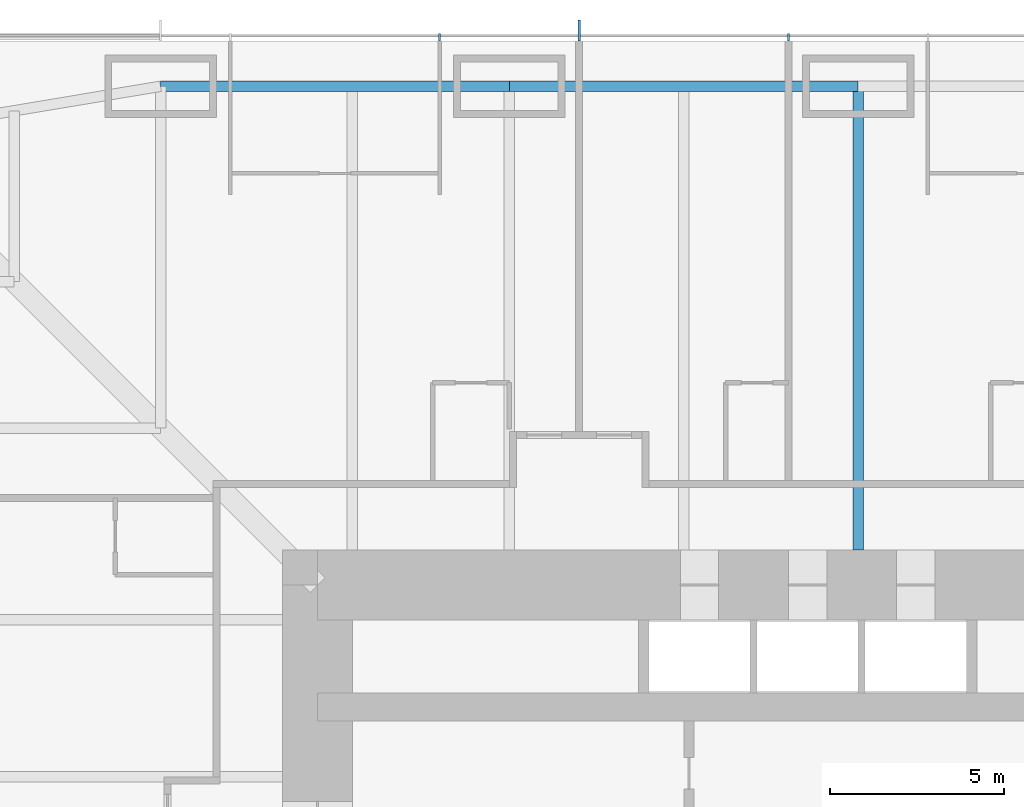
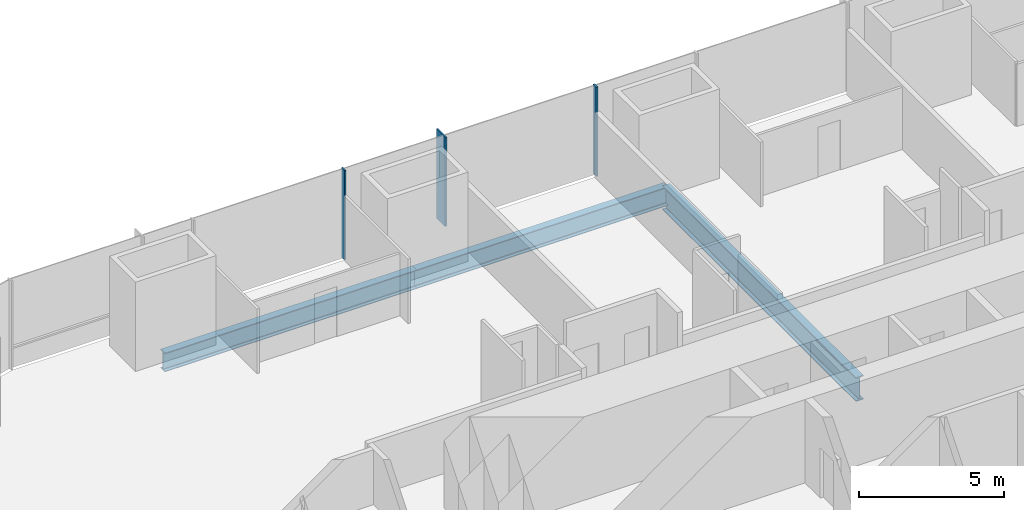
# One storey, part 7 of 17: 3 beams, 3 members, 1 element without a shape of its own.
"""IFC4 building model written with IfcOpenShell, lengths in metres."""

import ifcopenshell
import ifcopenshell.guid

model = None  # the IFC model being written
_history = None  # IfcOwnerHistory: only IFC2X3 demands one
_inside = {}  # id of a spatial element -> (the spatial element, [elements in it])
_under = {}  # id of a project, library or spatial element -> (it, [spatial elements below it])
_declared = {}  # id of a project -> (the project, [libraries it declares])
_typed = {}  # id of a type object -> (the type object, [elements of that type])
_made_of = {}  # id of a material, layer set ... -> (it, [elements and type objects made of it])


def new_model(schema):
    """Start an empty IFC model of exactly this schema.

    Asked for "IFC4X3", IfcOpenShell would pick the latest addendum, in which some entities
    have other attributes; the version numbers below select the first issue.
    IFC2X3 requires an IfcOwnerHistory on every rooted entity: one is made here for all.
    """
    global model, _history
    if schema == "IFC4X3":
        model = ifcopenshell.file(schema_version=(4, 3, 0, 0))
    else:
        model = ifcopenshell.file(schema=schema)
    _inside.clear()
    _under.clear()
    _declared.clear()
    _typed.clear()
    _made_of.clear()
    _history = None
    if model.schema == "IFC2X3":
        org = make("IfcOrganization", Name="unknown")
        user = make(
            "IfcPersonAndOrganization",
            ThePerson=make("IfcPerson", FamilyName="unknown"),
            TheOrganization=org,
        )
        app = make(
            "IfcApplication",
            ApplicationDeveloper=org,
            Version="unknown",
            ApplicationFullName="unknown",
            ApplicationIdentifier="unknown",
        )
        _history = make(
            "IfcOwnerHistory",
            OwningUser=user,
            OwningApplication=app,
            ChangeAction="ADDED",
            CreationDate=0,
        )
    return model


def make(cls, **values):
    """One entity of the class cls with the attributes given. An attribute that is None is left unset."""
    return model.create_entity(
        cls, **{name: value for name, value in values.items() if value is not None}
    )


def rooted(cls, **values):
    """An entity with a GlobalId (a new one), such as an element, a storey or a relation."""
    return make(cls, GlobalId=ifcopenshell.guid.new(), OwnerHistory=_history, **values)


def si_unit(unit_type, name, prefix=None):
    """IfcSIUnit, for example si_unit("LENGTHUNIT", "METRE", prefix="MILLI")."""
    return make("IfcSIUnit", UnitType=unit_type, Prefix=prefix, Name=name)


def assignment(units):
    """IfcUnitAssignment: the units of a project."""
    return None if units is None else make("IfcUnitAssignment", Units=units)


def point(xyz):
    """IfcCartesianPoint."""
    return None if xyz is None else make("IfcCartesianPoint", Coordinates=xyz)


def direction(xyz):
    """IfcDirection."""
    return None if xyz is None else make("IfcDirection", DirectionRatios=xyz)


def frame(location, z_axis=None, x_axis=None):
    """IfcAxis2Placement3D, a coordinate frame: its origin and axes. An axis left out is left unset."""
    return make(
        "IfcAxis2Placement3D",
        Location=point(location),
        Axis=direction(z_axis),
        RefDirection=direction(x_axis),
    )


def frame_2d(location, x_axis=None):
    """IfcAxis2Placement2D, a coordinate frame in the plane: its origin and x axis."""
    return make(
        "IfcAxis2Placement2D", Location=point(location), RefDirection=direction(x_axis)
    )


def origin():
    """The frame at (0, 0, 0) with its axes left unset."""
    return frame((0.0, 0.0, 0.0))


def origin_2d():
    """The frame at (0, 0) in the plane with its x axis left unset."""
    return frame_2d((0.0, 0.0))


def place(relative_to, where):
    """IfcLocalPlacement: puts the frame where relative to a parent placement (None: the world)."""
    return make(
        "IfcLocalPlacement", PlacementRelTo=relative_to, RelativePlacement=where
    )


def context(
    kind, dimensions, precision=None, world=None, true_north=None, identifier=None
):
    """IfcGeometricRepresentationContext, for example the 3D "Model" context."""
    return make(
        "IfcGeometricRepresentationContext",
        ContextIdentifier=identifier,
        ContextType=kind,
        CoordinateSpaceDimension=dimensions,
        Precision=precision,
        WorldCoordinateSystem=world,
        TrueNorth=true_north,
    )


def subcontext(parent, identifier, kind, view, scale=None):
    """IfcGeometricRepresentationSubContext, for example "Body" below "Model"."""
    return make(
        "IfcGeometricRepresentationSubContext",
        ContextIdentifier=identifier,
        ContextType=kind,
        ParentContext=parent,
        TargetScale=scale,
        TargetView=view,
    )


def project(units=None, contexts=None):
    """IfcProject with its units and contexts."""
    return rooted(
        "IfcProject",
        Name="project",
        RepresentationContexts=contexts,
        UnitsInContext=assignment(units),
    )


def spatial(cls, under=None, at=None, **own):
    """A site, building, storey or space (cls), placed at a placement, below another one or the project."""
    s = rooted(cls, ObjectPlacement=at, **own)
    if under is not None:
        _under.setdefault(under.id(), (under, []))[1].append(s)
    return s


def profile(cls, at=None, kind="AREA", **sizes):
    """A parametric profile (cls). Its sizes go by their IFC names, for example OverallWidth=200.0."""
    return make(cls, ProfileType=kind, Position=at, **sizes)


def rectangle(**sizes):
    """IfcRectangleProfileDef."""
    return profile("IfcRectangleProfileDef", **sizes)


def i_section(**sizes):
    """IfcIShapeProfileDef."""
    return profile("IfcIShapeProfileDef", **sizes)


def extrude(swept, where, along, depth):
    """IfcExtrudedAreaSolid: the profile swept, set in the frame where, extruded along a direction by depth."""
    return make(
        "IfcExtrudedAreaSolid",
        SweptArea=swept,
        Position=where,
        ExtrudedDirection=direction(along),
        Depth=depth,
    )


def shape(context_of_items, identifier, shape_type, items):
    """IfcShapeRepresentation: the items that make up one representation, for example the "Body"."""
    return make(
        "IfcShapeRepresentation",
        ContextOfItems=context_of_items,
        RepresentationIdentifier=identifier,
        RepresentationType=shape_type,
        Items=items,
    )


def material(Name=None, Category=None):
    """IfcMaterial."""
    return make("IfcMaterial", Name=Name, Category=Category)


def material_profile(
    of_material, cross_section, Name=None, Category=None, Priority=None
):
    """IfcMaterialProfile: a cross section and its material."""
    return make(
        "IfcMaterialProfile",
        Name=Name,
        Material=of_material,
        Profile=cross_section,
        Priority=Priority,
        Category=Category,
    )


def profile_set(profiles, Name=None, composite=None):
    """IfcMaterialProfileSet."""
    return make(
        "IfcMaterialProfileSet",
        Name=Name,
        MaterialProfiles=profiles,
        CompositeProfile=composite,
    )


def made_of(thing, what):
    """Note that an element or type object is made of a material, layer set ...; save() writes the relation."""
    if what is not None:
        _made_of.setdefault(what.id(), (what, []))[1].append(thing)
    return thing


def type_object(cls, material=None, **own):
    """A type object (cls), such as IfcWallType, which elements share."""
    return made_of(rooted(cls, **own), material)


def element(
    cls,
    number,
    at=None,
    inside=None,
    cuts=None,
    type_object=None,
    material=None,
    context=None,
    identifier="Body",
    shape_type=None,
    held_by="IfcProductDefinitionShape",
    body=None,
    shapes=None,
    **own,
):
    """One element of the class cls, such as IfcWall. Its Tag is "e" and its number.

    at: its placement. inside: the storey or other place that contains it. cuts: it is an
    opening in that element (IfcRelVoidsElement). A single representation is given by context,
    identifier, shape_type and body (its items); several are given by shapes. held_by: the class
    of the entity that holds the representations. save() writes the other relations.
    """
    e = rooted(cls, Tag="e%d" % number, ObjectPlacement=at, **own)
    if body is not None:
        shapes = [shape(context, identifier, shape_type, body)]
    if shapes is not None:
        e.Representation = make(held_by, Representations=shapes)
    if inside is not None:
        _inside.setdefault(inside.id(), (inside, []))[1].append(e)
    if cuts is not None:
        rooted(
            "IfcRelVoidsElement", RelatingBuildingElement=cuts, RelatedOpeningElement=e
        )
    if type_object is not None:
        _typed.setdefault(type_object.id(), (type_object, []))[1].append(e)
    return made_of(e, material)


def aggregate(whole, parts):
    """IfcRelAggregates: a whole, such as a stair, and the parts it consists of."""
    return rooted("IfcRelAggregates", RelatingObject=whole, RelatedObjects=parts)


def save(model, path):
    """Write the relations noted so far, then the file.

    IfcRelAggregates (storeys below a building ...), IfcRelContainedInSpatialStructure (elements
    in a storey), IfcRelDefinesByType, IfcRelAssociatesMaterial and IfcRelDeclares: one each for
    every whole, place, type object, material and project.
    """
    for whole, parts in _under.values():
        aggregate(whole, parts)
    for where, things in _inside.values():
        rooted(
            "IfcRelContainedInSpatialStructure",
            RelatedElements=things,
            RelatingStructure=where,
        )
    for kind, things in _typed.values():
        rooted("IfcRelDefinesByType", RelatedObjects=things, RelatingType=kind)
    for what, things in _made_of.values():
        rooted("IfcRelAssociatesMaterial", RelatedObjects=things, RelatingMaterial=what)
    for by, libraries in _declared.values():
        rooted("IfcRelDeclares", RelatingContext=by, RelatedDefinitions=libraries)
    model.write(path)


model = new_model("IFC4")

# Units and contexts
model_context = context("Model", 3, precision=1e-05, world=origin(), true_north=direction((0.0, 1.0)))
body_context = subcontext(model_context, "Body", "Model", "MODEL_VIEW")
ifc_project = project(units=[si_unit("LENGTHUNIT", "METRE"), si_unit("AREAUNIT", "SQUARE_METRE"), si_unit("VOLUMEUNIT", "CUBIC_METRE"), si_unit("PLANEANGLEUNIT", "RADIAN"), si_unit("MASSUNIT", "GRAM", prefix="KILO")], contexts=[model_context])

# Site, building, storey
site_placement = place(None, origin())
site = spatial("IfcSite", under=ifc_project, at=site_placement, CompositionType="ELEMENT")
building_placement = place(site_placement, origin())
building = spatial("IfcBuilding", under=site, at=building_placement, Name="Khuree Lantern Residences", CompositionType="ELEMENT")
storey_placement = place(building_placement, frame((0.0, 0.0, 73.5)))
storey = spatial("IfcBuildingStorey", under=building, at=storey_placement, Name="L18", CompositionType="ELEMENT", Elevation=73.5)

# Beams
ifc_material_1 = material(Name="Steel S355", Category="steel")
ifc_material_profile_1 = material_profile(ifc_material_1, i_section(OverallWidth=0.300048828125, OverallDepth=0.7900390625, WebThickness=0.014892578125, FlangeThickness=0.028076171875, FilletRadius=0.030029296875, at=origin_2d()), Name="HE 800 A")
ifc_profile_set_1 = profile_set([ifc_material_profile_1], Name="Steel S355")
beam_type_1 = type_object("IfcBeamType", Name="E-14 SPANDREL BEAM HE 800 A", PredefinedType="SPANDREL", material=ifc_profile_set_1)
for number, where, z_axis, x_axis, name in (
    (1, (-20.0, 29.800048828125, -0.64501953125), (1.0, 0.0, 0.0), (0.0, 1.0, 0.0), "Spandrel beam N1"),
    (2, (-10.0, 29.800048828125, -0.64501953125), (1.0, 0.0, 0.0), (0.0, 1.0, 0.0), "Spandrel beam N2"),
):
    element("IfcBeam", number, at=place(storey_placement, frame(where, z_axis=z_axis, x_axis=x_axis)), inside=storey, type_object=beam_type_1, Name=name, PredefinedType="SPANDREL", context=body_context, shape_type="SweptSolid", body=[
        extrude(i_section(OverallWidth=0.300048828125, OverallDepth=0.7900390625, WebThickness=0.014892578125, FlangeThickness=0.028076171875, FilletRadius=0.030029296875, at=origin_2d()), origin(), (0.0, 0.0, 1.0), 10.0),
    ])

# Curtain wall, member
ifc_material_2 = material(Name="Bronze anodised aluminium", Category="aluminium")
curtain_wall_type = type_object("IfcCurtainWallType", Name="CW-T1 TOWER FACE CURTAIN WALL", PredefinedType="USERDEFINED", material=ifc_material_2)
curtain_wall_placement = place(storey_placement, origin())
curtain_wall = element("IfcCurtainWall", 3, at=curtain_wall_placement, inside=storey, type_object=curtain_wall_type, Name="L18 NORTH FACE CURTAIN WALL", ObjectType="Stick-built curtain wall", PredefinedType="USERDEFINED")
ifc_material_profile_2 = material_profile(ifc_material_2, rectangle(XDim=0.06494140625, YDim=0.60009765625, at=origin_2d()), Name="F1 65X600")
ifc_profile_set_2 = profile_set([ifc_material_profile_2], Name="Bronze anodised aluminium")
member_type_1 = type_object("IfcMemberType", Name="F1 BRONZE FIN MULLION TOWER 65X600", PredefinedType="MULLION", material=ifc_profile_set_2)
member_1_placement = place(storey_placement, frame((-8.0, 31.39990234375, 0.0), z_axis=(0.0, 0.0, 1.0), x_axis=(-1.0, 0.0, 0.0)))
member_1 = element("IfcMember", 4, at=member_1_placement, type_object=member_type_1, Name="L18 NORTH FACE FIN MULLION 25", PredefinedType="MULLION", context=body_context, shape_type="SweptSolid", body=[
    extrude(rectangle(XDim=0.06494140625, YDim=0.60009765625, at=origin_2d()), origin(), (0.0, 0.0, 1.0), 3.75),
])

# Beam
ifc_material_profile_3 = material_profile(ifc_material_1, i_section(OverallWidth=0.302001953125, OverallDepth=1.008056640625, WebThickness=0.02099609375, FlangeThickness=0.0400390625, FilletRadius=0.030029296875, at=origin_2d()), Name="HE 1000 M")
ifc_profile_set_3 = profile_set([ifc_material_profile_3], Name="Steel S355")
beam_type_2 = type_object("IfcBeamType", Name="G-14 GIRDER HE 1000 M", PredefinedType="BEAM", material=ifc_profile_set_3)
beam_placement = place(storey_placement, frame((0.0, 29.800048828125, -0.75390625), z_axis=(0.0, -1.0, 0.0), x_axis=(1.0, 0.0, 0.0)))
element("IfcBeam", 5, at=beam_placement, inside=storey, type_object=beam_type_2, Name="Girder N3", PredefinedType="BEAM", context=body_context, shape_type="SweptSolid", body=[
    extrude(i_section(OverallWidth=0.302001953125, OverallDepth=1.008056640625, WebThickness=0.02099609375, FlangeThickness=0.0400390625, FilletRadius=0.030029296875, at=origin_2d()), origin(), (0.0, 0.0, 1.0), 13.300048828125),
])

# Member
ifc_material_profile_4 = material_profile(ifc_material_2, rectangle(XDim=0.06494140625, YDim=0.219970703125, at=origin_2d()), Name="M1 65X220")
ifc_profile_set_4 = profile_set([ifc_material_profile_4], Name="Bronze anodised aluminium")
member_type_2 = type_object("IfcMemberType", Name="M1 BRONZE MULLION TOWER 65X220", PredefinedType="MULLION", material=ifc_profile_set_4)
member_2_placement = place(storey_placement, frame((-2.0, 31.2099609375, 0.0), z_axis=(0.0, 0.0, 1.0), x_axis=(-1.0, 0.0, 0.0)))
member_2 = element("IfcMember", 6, at=member_2_placement, type_object=member_type_2, Name="L18 NORTH FACE MULLION 24", PredefinedType="MULLION", context=body_context, shape_type="SweptSolid", body=[
    extrude(rectangle(XDim=0.06494140625, YDim=0.219970703125, at=origin_2d()), origin(), (0.0, 0.0, 1.0), 3.75),
])

member_3_placement = place(storey_placement, frame((-12.0, 31.2099609375, 0.0), z_axis=(0.0, 0.0, 1.0), x_axis=(-1.0, 0.0, 0.0)))
member_3 = element("IfcMember", 7, at=member_3_placement, type_object=member_type_2, Name="L18 NORTH FACE MULLION 26", PredefinedType="MULLION", context=body_context, shape_type="SweptSolid", body=[
    extrude(rectangle(XDim=0.06494140625, YDim=0.219970703125, at=origin_2d()), origin(), (0.0, 0.0, 1.0), 3.75),
])

aggregate(curtain_wall, [member_2, member_1, member_3])

save(model, "model.ifc")
